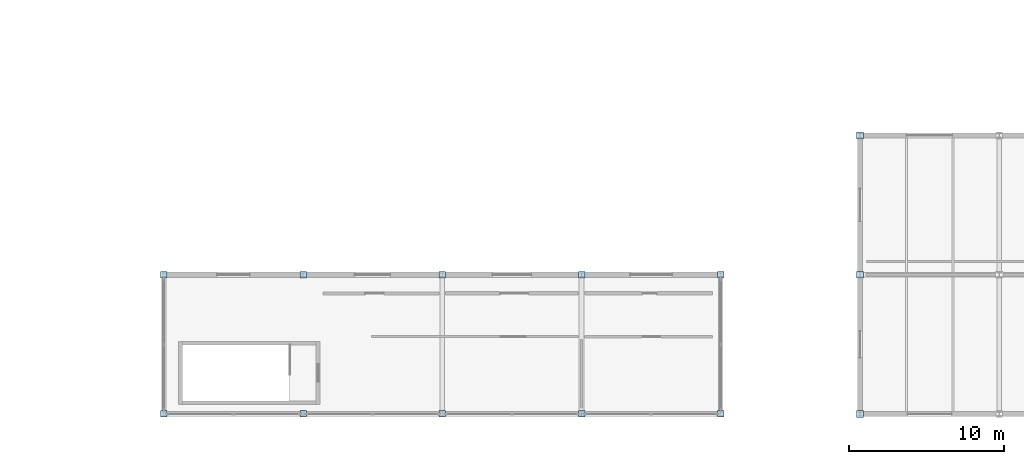
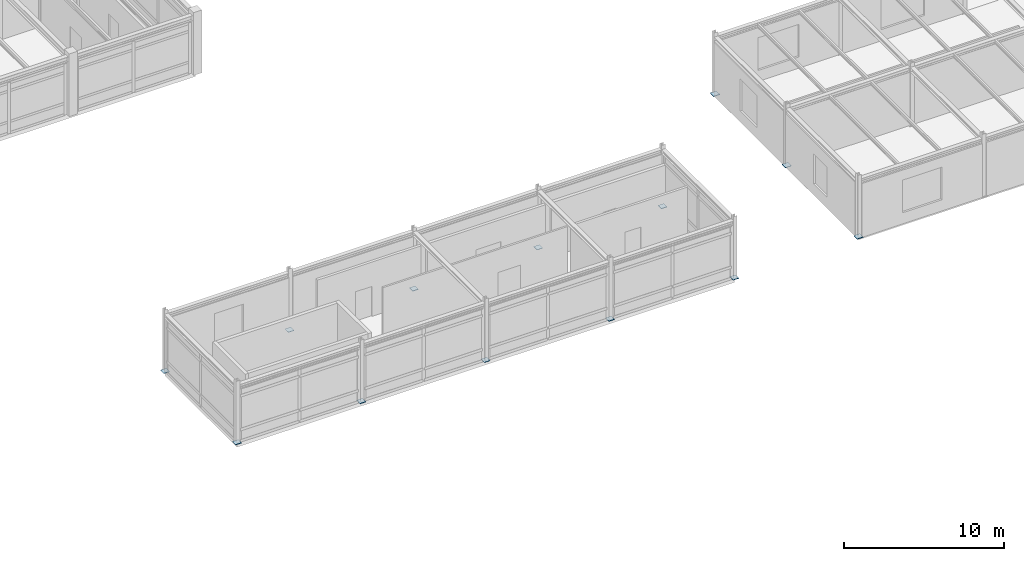
# One storey, part 40 of 61: 13 plates.
"""IFC4 building model written with IfcOpenShell, lengths in metres."""

from ifc_helpers import new_model, si_unit, direction, frame, origin, origin_2d, place, context, subcontext, project, spatial, rectangle, extrude, material, layer, layer_set, type_object, element, save


model = new_model("IFC4")

# Units and contexts
model_context = context("Model", 3, precision=1e-05, world=origin(), true_north=direction((0.0, 1.0)))
body_context = subcontext(model_context, "Body", "Model", "MODEL_VIEW")
ifc_project = project(units=[si_unit("LENGTHUNIT", "METRE"), si_unit("AREAUNIT", "SQUARE_METRE"), si_unit("VOLUMEUNIT", "CUBIC_METRE"), si_unit("PLANEANGLEUNIT", "RADIAN"), si_unit("MASSUNIT", "GRAM", prefix="KILO")], contexts=[model_context])

# Site, building, storey
site_placement = place(None, origin())
site = spatial("IfcSite", under=ifc_project, at=site_placement, CompositionType="ELEMENT")
building_placement = place(site_placement, origin())
building = spatial("IfcBuilding", under=site, at=building_placement, Name="Bozkorgan Art Gallery", CompositionType="ELEMENT")
storey_placement = place(building_placement, frame((0.0, 0.0, 10.199951171875)))
storey = spatial("IfcBuildingStorey", under=building, at=storey_placement, Name="L02", CompositionType="ELEMENT", Elevation=10.199951171875)

# Plates
ifc_material = material(Name="Steel S355J2", Category="steel")
ifc_layer_1 = layer(ifc_material, 0.031982421875, Name="Steel S355J2")
ifc_layer_set_1 = layer_set([ifc_layer_1], Name="Steel S355J2")
plate_type_1 = type_object("IfcPlateType", Name="PLATE-BP-09", PredefinedType="USERDEFINED", material=ifc_layer_set_1)
for number, where, z_axis, x_axis, name in (
    (1, (128.0, 2.0, 0.0), (0.0, 0.0, 1.0), (1.0, 0.0, 0.0), "COL-V6-L02-128-2 base plate"),
    (2, (128.0, 11.0, 0.0), (0.0, 0.0, 1.0), (1.0, 0.0, 0.0), "COL-V6-L02-128-11 base plate"),
    (3, (128.0, 20.0, 0.0), (0.0, 0.0, 1.0), (1.0, 0.0, 0.0), "COL-V6-L02-128-20 base plate"),
):
    element("IfcPlate", number, at=place(storey_placement, frame(where, z_axis=z_axis, x_axis=x_axis)), inside=storey, type_object=plate_type_1, Name=name, ObjectType="END CAP PLATE", PredefinedType="USERDEFINED", context=body_context, shape_type="SweptSolid", body=[
        extrude(rectangle(XDim=0.43994140625, YDim=0.43994140625, at=origin_2d()), origin(), (0.0, 0.0, 1.0), 0.031982421875),
    ])
ifc_layer_2 = layer(ifc_material, 0.031982421875, Name="Steel S355J2")
ifc_layer_set_2 = layer_set([ifc_layer_2], Name="Steel S355J2")
plate_type_2 = type_object("IfcPlateType", Name="PLATE-BP-36", PredefinedType="USERDEFINED", material=ifc_layer_set_2)
for number, where, z_axis, x_axis, name in (
    (4, (83.0, 2.0, 0.0), (0.0, 0.0, 1.0), (1.0, 0.0, 0.0), "COL-V3-L02-83-2 base plate"),
    (5, (83.0, 11.0, 0.0), (0.0, 0.0, 1.0), (1.0, 0.0, 0.0), "COL-V3-L02-83-11 base plate"),
    (6, (92.0, 2.0, 0.0), (0.0, 0.0, 1.0), (1.0, 0.0, 0.0), "COL-V3-L02-92-2 base plate"),
    (7, (92.0, 11.0, 0.0), (0.0, 0.0, 1.0), (1.0, 0.0, 0.0), "COL-V3-L02-92-11 base plate"),
    (8, (101.0, 2.0, 0.0), (0.0, 0.0, 1.0), (1.0, 0.0, 0.0), "COL-V3-L02-101-2 base plate"),
    (9, (101.0, 11.0, 0.0), (0.0, 0.0, 1.0), (1.0, 0.0, 0.0), "COL-V3-L02-101-11 base plate"),
    (10, (110.0, 2.0, 0.0), (0.0, 0.0, 1.0), (1.0, 0.0, 0.0), "COL-V3-L02-110-2 base plate"),
    (11, (110.0, 11.0, 0.0), (0.0, 0.0, 1.0), (1.0, 0.0, 0.0), "COL-V3-L02-110-11 base plate"),
    (12, (119.0, 2.0, 0.0), (0.0, 0.0, 1.0), (1.0, 0.0, 0.0), "COL-V3-L02-119-2 base plate"),
    (13, (119.0, 11.0, 0.0), (0.0, 0.0, 1.0), (1.0, 0.0, 0.0), "COL-V3-L02-119-11 base plate"),
):
    element("IfcPlate", number, at=place(storey_placement, frame(where, z_axis=z_axis, x_axis=x_axis)), inside=storey, type_object=plate_type_2, Name=name, ObjectType="END CAP PLATE", PredefinedType="USERDEFINED", context=body_context, shape_type="SweptSolid", body=[
        extrude(rectangle(XDim=0.419921875, YDim=0.419921875, at=origin_2d()), origin(), (0.0, 0.0, 1.0), 0.031982421875),
    ])

save(model, "model.ifc")
